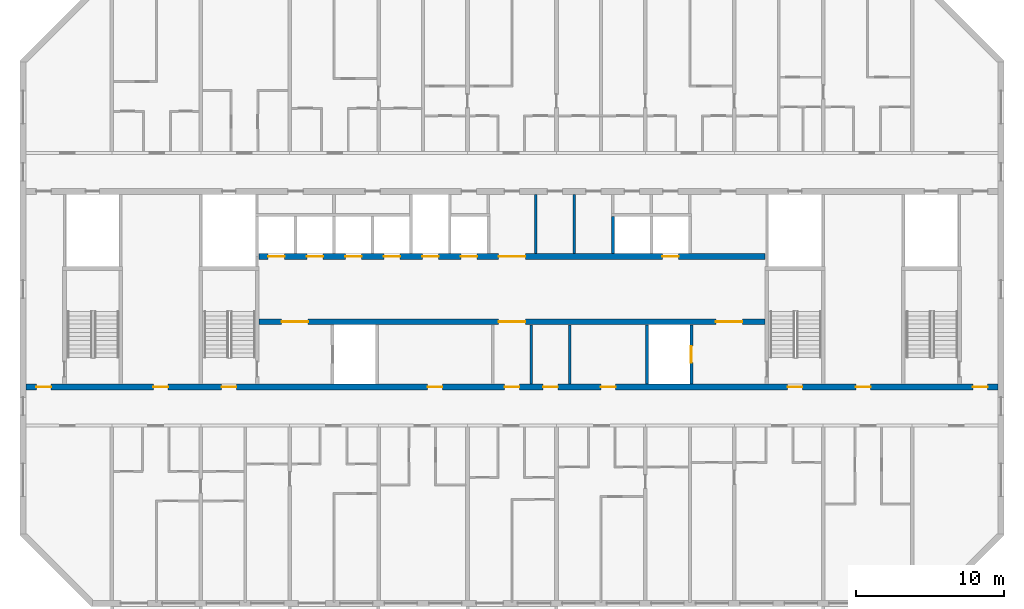
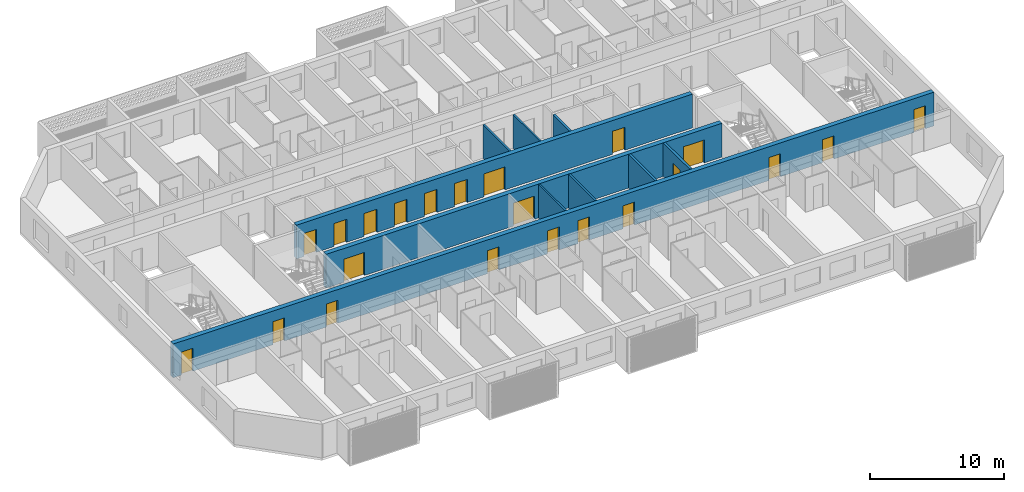
# One storey, part 6 of 27: 22 doors, 10 walls, 22 openings.
"""IFC4 building model written with IfcOpenShell, lengths in metres."""

from ifc_helpers import new_model, si_unit, direction, frame, frame_2d, origin, place, context, subcontext, project, spatial, rectangle, extrude, material, layer, layer_set, type_object, element, fill, save


model = new_model("IFC4")

# Units and contexts
model_context = context("Model", 3, precision=1e-05, world=origin(), true_north=direction((0.0, 1.0)))
body_context = subcontext(model_context, "Body", "Model", "MODEL_VIEW")
ifc_project = project(units=[si_unit("LENGTHUNIT", "METRE"), si_unit("AREAUNIT", "SQUARE_METRE"), si_unit("VOLUMEUNIT", "CUBIC_METRE"), si_unit("PLANEANGLEUNIT", "RADIAN"), si_unit("MASSUNIT", "GRAM", prefix="KILO")], contexts=[model_context])

# Site, building, storey
site_placement = place(None, origin())
site = spatial("IfcSite", under=ifc_project, at=site_placement, CompositionType="ELEMENT")
building_placement = place(site_placement, origin())
building = spatial("IfcBuilding", under=site, at=building_placement, Name="Poui Terraces", CompositionType="ELEMENT")
storey_placement = place(building_placement, frame((0.0, 0.0, 204.89990234375)))
storey = spatial("IfcBuildingStorey", under=building, at=storey_placement, Name="L57", CompositionType="ELEMENT", Elevation=204.89990234375)

# Wall, openings, doors
ifc_material_1 = material(Name="Concrete 50 MPa", Category="concrete")
ifc_layer_1 = layer(ifc_material_1, 0.39990234375)
ifc_layer_set_1 = layer_set([ifc_layer_1], Name="Concrete 50 MPa")
wall_type_1 = type_object("IfcWallType", Name="CORE WALL 400 50 MPA", PredefinedType="SOLIDWALL", material=ifc_layer_set_1)
wall_1_placement = place(storey_placement, frame((33.925048828125, 19.0, 0.0), z_axis=(0.0, 0.0, 1.0), x_axis=(1.0, 0.0, 0.0)))
wall_1 = element("IfcWall", 1, at=wall_1_placement, inside=storey, type_object=wall_type_1, Name="CORE WALL", PredefinedType="SOLIDWALL", context=body_context, shape_type="SweptSolid", body=[
    extrude(rectangle(XDim=34.14990234375, YDim=0.39990234375, at=frame_2d((17.074951171875, 0.0))), origin(), (0.0, 0.0, 1.0), 3.080078125),
])
opening_1_placement = place(wall_1_placement, frame((16.175048828125, 0.0, 0.0)))
opening_1 = element("IfcOpeningElement", 2, at=opening_1_placement, cuts=wall_1, Name="Opening FDD60", PredefinedType="OPENING", context=body_context, shape_type="SweptSolid", body=[
    extrude(rectangle(XDim=1.800048828125, YDim=2.10009765625, at=frame_2d((0.89990234375, 1.050048828125))), frame((0.0, 0.2099609375, 0.0), z_axis=(0.0, -1.0, 0.0), x_axis=(1.0, 0.0, 0.0)), (0.0, 0.0, 1.0), 0.419921875),
])
opening_2_placement = place(wall_1_placement, frame((1.52490234375, 0.0, 0.0)))
opening_2 = element("IfcOpeningElement", 3, at=opening_2_placement, cuts=wall_1, Name="Opening FDD60", PredefinedType="OPENING", context=body_context, shape_type="SweptSolid", body=[
    extrude(rectangle(XDim=1.800048828125, YDim=2.10009765625, at=frame_2d((0.89990234375, 1.050048828125))), frame((0.0, 0.2099609375, 0.0), z_axis=(0.0, -1.0, 0.0), x_axis=(1.0, 0.0, 0.0)), (0.0, 0.0, 1.0), 0.419921875),
])
opening_3_placement = place(wall_1_placement, frame((30.824951171875, 0.0, 0.0)))
opening_3 = element("IfcOpeningElement", 4, at=opening_3_placement, cuts=wall_1, Name="Opening FDD60", PredefinedType="OPENING", context=body_context, shape_type="SweptSolid", body=[
    extrude(rectangle(XDim=1.800048828125, YDim=2.10009765625, at=frame_2d((0.89990234375, 1.050048828125))), frame((0.0, 0.2099609375, 0.0), z_axis=(0.0, -1.0, 0.0), x_axis=(1.0, 0.0, 0.0)), (0.0, 0.0, 1.0), 0.419921875),
])
ifc_material_2 = material(Name="Steel fire door", Category="steel")
door_type_1 = type_object("IfcDoorType", Name="DOUBLE LOBBY FIRE DOOR 1800 X 2100", OperationType="DOUBLE_DOOR_SINGLE_SWING", PredefinedType="DOOR", material=ifc_material_2)
door_1_placement = place(opening_1_placement, frame((1.800048828125, 0.0, 0.0), z_axis=(0.0, 0.0, 1.0), x_axis=(-1.0, 0.0, 0.0)))
door_1 = element("IfcDoor", 5, at=door_1_placement, inside=storey, type_object=door_type_1, Name="DOUBLE LOBBY FIRE DOOR 107", OperationType="DOUBLE_DOOR_SINGLE_SWING", OverallHeight=2.10009765625, OverallWidth=1.800048828125, PredefinedType="DOOR", context=body_context, shape_type="SweptSolid", body=[
    extrude(rectangle(XDim=1.800048828125, YDim=2.10009765625, at=frame_2d((0.89990234375, 1.050048828125))), frame((0.0, 0.02490234375, 0.0), z_axis=(0.0, -1.0, 0.0), x_axis=(1.0, 0.0, 0.0)), (0.0, 0.0, 1.0), 0.050048828125),
])
fill(opening_1, door_1)
door_2_placement = place(opening_2_placement, origin())
door_2 = element("IfcDoor", 6, at=door_2_placement, inside=storey, type_object=door_type_1, Name="DOUBLE LOBBY FIRE DOOR 109", OperationType="DOUBLE_DOOR_SINGLE_SWING", OverallHeight=2.10009765625, OverallWidth=1.800048828125, PredefinedType="DOOR", context=body_context, shape_type="SweptSolid", body=[
    extrude(rectangle(XDim=1.800048828125, YDim=2.10009765625, at=frame_2d((0.89990234375, 1.050048828125))), frame((0.0, 0.02490234375, 0.0), z_axis=(0.0, -1.0, 0.0), x_axis=(1.0, 0.0, 0.0)), (0.0, 0.0, 1.0), 0.050048828125),
])
fill(opening_2, door_2)
door_3_placement = place(opening_3_placement, origin())
door_3 = element("IfcDoor", 7, at=door_3_placement, inside=storey, type_object=door_type_1, Name="DOUBLE LOBBY FIRE DOOR 116", OperationType="DOUBLE_DOOR_SINGLE_SWING", OverallHeight=2.10009765625, OverallWidth=1.800048828125, PredefinedType="DOOR", context=body_context, shape_type="SweptSolid", body=[
    extrude(rectangle(XDim=1.800048828125, YDim=2.10009765625, at=frame_2d((0.89990234375, 1.050048828125))), frame((0.0, 0.02490234375, 0.0), z_axis=(0.0, -1.0, 0.0), x_axis=(1.0, 0.0, 0.0)), (0.0, 0.0, 1.0), 0.050048828125),
])
fill(opening_3, door_3)

wall_2_placement = place(storey_placement, frame((33.925048828125, 23.39990234375, 0.0), z_axis=(0.0, 0.0, 1.0), x_axis=(1.0, 0.0, 0.0)))
wall_2 = element("IfcWall", 8, at=wall_2_placement, inside=storey, type_object=wall_type_1, Name="CORE WALL", PredefinedType="SOLIDWALL", context=body_context, shape_type="SweptSolid", body=[
    extrude(rectangle(XDim=34.14990234375, YDim=0.39990234375, at=frame_2d((17.074951171875, 0.0))), origin(), (0.0, 0.0, 1.0), 3.080078125),
])
opening_4_placement = place(wall_2_placement, frame((16.175048828125, 0.0, 0.0)))
opening_4 = element("IfcOpeningElement", 9, at=opening_4_placement, cuts=wall_2, Name="Opening FDD60", PredefinedType="OPENING", context=body_context, shape_type="SweptSolid", body=[
    extrude(rectangle(XDim=1.800048828125, YDim=2.10009765625, at=frame_2d((0.89990234375, 1.050048828125))), frame((0.0, 0.2099609375, 0.0), z_axis=(0.0, -1.0, 0.0), x_axis=(1.0, 0.0, 0.0)), (0.0, 0.0, 1.0), 0.419921875),
])
opening_5_placement = place(wall_2_placement, frame((0.625, 0.0, 0.0)))
opening_5 = element("IfcOpeningElement", 10, at=opening_5_placement, cuts=wall_2, Name="Opening LD", PredefinedType="OPENING", context=body_context, shape_type="SweptSolid", body=[
    extrude(rectangle(XDim=1.10009765625, YDim=2.10009765625, at=frame_2d((0.550048828125, 1.050048828125))), frame((0.0, 0.2099609375, 0.0), z_axis=(0.0, -1.0, 0.0), x_axis=(1.0, 0.0, 0.0)), (0.0, 0.0, 1.0), 0.419921875),
])
opening_6_placement = place(wall_2_placement, frame((3.22509765625, 0.0, 0.0)))
opening_6 = element("IfcOpeningElement", 11, at=opening_6_placement, cuts=wall_2, Name="Opening LD", PredefinedType="OPENING", context=body_context, shape_type="SweptSolid", body=[
    extrude(rectangle(XDim=1.10009765625, YDim=2.10009765625, at=frame_2d((0.550048828125, 1.050048828125))), frame((0.0, 0.2099609375, 0.0), z_axis=(0.0, -1.0, 0.0), x_axis=(1.0, 0.0, 0.0)), (0.0, 0.0, 1.0), 0.419921875),
])
opening_7_placement = place(wall_2_placement, frame((5.824951171875, 0.0, 0.0)))
opening_7 = element("IfcOpeningElement", 12, at=opening_7_placement, cuts=wall_2, Name="Opening LD", PredefinedType="OPENING", context=body_context, shape_type="SweptSolid", body=[
    extrude(rectangle(XDim=1.10009765625, YDim=2.10009765625, at=frame_2d((0.550048828125, 1.050048828125))), frame((0.0, 0.2099609375, 0.0), z_axis=(0.0, -1.0, 0.0), x_axis=(1.0, 0.0, 0.0)), (0.0, 0.0, 1.0), 0.419921875),
])
opening_8_placement = place(wall_2_placement, frame((8.425048828125, 0.0, 0.0)))
opening_8 = element("IfcOpeningElement", 13, at=opening_8_placement, cuts=wall_2, Name="Opening LD", PredefinedType="OPENING", context=body_context, shape_type="SweptSolid", body=[
    extrude(rectangle(XDim=1.10009765625, YDim=2.10009765625, at=frame_2d((0.550048828125, 1.050048828125))), frame((0.0, 0.2099609375, 0.0), z_axis=(0.0, -1.0, 0.0), x_axis=(1.0, 0.0, 0.0)), (0.0, 0.0, 1.0), 0.419921875),
])
opening_9_placement = place(wall_2_placement, frame((11.02490234375, 0.0, 0.0)))
opening_9 = element("IfcOpeningElement", 14, at=opening_9_placement, cuts=wall_2, Name="Opening LD", PredefinedType="OPENING", context=body_context, shape_type="SweptSolid", body=[
    extrude(rectangle(XDim=1.10009765625, YDim=2.10009765625, at=frame_2d((0.550048828125, 1.050048828125))), frame((0.0, 0.2099609375, 0.0), z_axis=(0.0, -1.0, 0.0), x_axis=(1.0, 0.0, 0.0)), (0.0, 0.0, 1.0), 0.419921875),
])
opening_10_placement = place(wall_2_placement, frame((13.625, 0.0, 0.0)))
opening_10 = element("IfcOpeningElement", 15, at=opening_10_placement, cuts=wall_2, Name="Opening LD", PredefinedType="OPENING", context=body_context, shape_type="SweptSolid", body=[
    extrude(rectangle(XDim=1.10009765625, YDim=2.10009765625, at=frame_2d((0.550048828125, 1.050048828125))), frame((0.0, 0.2099609375, 0.0), z_axis=(0.0, -1.0, 0.0), x_axis=(1.0, 0.0, 0.0)), (0.0, 0.0, 1.0), 0.419921875),
])
opening_11_placement = place(wall_2_placement, frame((27.22509765625, 0.0, 0.0)))
opening_11 = element("IfcOpeningElement", 16, at=opening_11_placement, cuts=wall_2, Name="Opening LD", PredefinedType="OPENING", context=body_context, shape_type="SweptSolid", body=[
    extrude(rectangle(XDim=1.10009765625, YDim=2.10009765625, at=frame_2d((0.550048828125, 1.050048828125))), frame((0.0, 0.2099609375, 0.0), z_axis=(0.0, -1.0, 0.0), x_axis=(1.0, 0.0, 0.0)), (0.0, 0.0, 1.0), 0.419921875),
])
door_4_placement = place(opening_4_placement, origin())
door_4 = element("IfcDoor", 17, at=door_4_placement, inside=storey, type_object=door_type_1, Name="DOUBLE LOBBY FIRE DOOR 106", OperationType="DOUBLE_DOOR_SINGLE_SWING", OverallHeight=2.10009765625, OverallWidth=1.800048828125, PredefinedType="DOOR", context=body_context, shape_type="SweptSolid", body=[
    extrude(rectangle(XDim=1.800048828125, YDim=2.10009765625, at=frame_2d((0.89990234375, 1.050048828125))), frame((0.0, 0.02490234375, 0.0), z_axis=(0.0, -1.0, 0.0), x_axis=(1.0, 0.0, 0.0)), (0.0, 0.0, 1.0), 0.050048828125),
])
fill(opening_4, door_4)
ifc_material_3 = material(Name="Stainless steel sliding door", Category="steel")
door_type_2 = type_object("IfcDoorType", Name="LIFT LANDING DOOR 1100 X 2100", OperationType="DOUBLE_DOOR_SLIDING", PredefinedType="DOOR", material=ifc_material_3)
door_5_placement = place(opening_5_placement, origin())
door_5 = element("IfcDoor", 18, at=door_5_placement, inside=storey, type_object=door_type_2, Name="LANDING DOOR", OperationType="DOUBLE_DOOR_SLIDING", OverallHeight=2.10009765625, OverallWidth=1.10009765625, PredefinedType="DOOR", context=body_context, shape_type="SweptSolid", body=[
    extrude(rectangle(XDim=1.10009765625, YDim=2.10009765625, at=frame_2d((0.550048828125, 1.050048828125))), frame((0.0, 0.02490234375, 0.0), z_axis=(0.0, -1.0, 0.0), x_axis=(1.0, 0.0, 0.0)), (0.0, 0.0, 1.0), 0.050048828125),
])
fill(opening_5, door_5)
door_6_placement = place(opening_6_placement, origin())
door_6 = element("IfcDoor", 19, at=door_6_placement, inside=storey, type_object=door_type_2, Name="LANDING DOOR", OperationType="DOUBLE_DOOR_SLIDING", OverallHeight=2.10009765625, OverallWidth=1.10009765625, PredefinedType="DOOR", context=body_context, shape_type="SweptSolid", body=[
    extrude(rectangle(XDim=1.10009765625, YDim=2.10009765625, at=frame_2d((0.550048828125, 1.050048828125))), frame((0.0, 0.02490234375, 0.0), z_axis=(0.0, -1.0, 0.0), x_axis=(1.0, 0.0, 0.0)), (0.0, 0.0, 1.0), 0.050048828125),
])
fill(opening_6, door_6)
door_7_placement = place(opening_7_placement, origin())
door_7 = element("IfcDoor", 20, at=door_7_placement, inside=storey, type_object=door_type_2, Name="LANDING DOOR", OperationType="DOUBLE_DOOR_SLIDING", OverallHeight=2.10009765625, OverallWidth=1.10009765625, PredefinedType="DOOR", context=body_context, shape_type="SweptSolid", body=[
    extrude(rectangle(XDim=1.10009765625, YDim=2.10009765625, at=frame_2d((0.550048828125, 1.050048828125))), frame((0.0, 0.02490234375, 0.0), z_axis=(0.0, -1.0, 0.0), x_axis=(1.0, 0.0, 0.0)), (0.0, 0.0, 1.0), 0.050048828125),
])
fill(opening_7, door_7)
door_8_placement = place(opening_8_placement, origin())
door_8 = element("IfcDoor", 21, at=door_8_placement, inside=storey, type_object=door_type_2, Name="LANDING DOOR", OperationType="DOUBLE_DOOR_SLIDING", OverallHeight=2.10009765625, OverallWidth=1.10009765625, PredefinedType="DOOR", context=body_context, shape_type="SweptSolid", body=[
    extrude(rectangle(XDim=1.10009765625, YDim=2.10009765625, at=frame_2d((0.550048828125, 1.050048828125))), frame((0.0, 0.02490234375, 0.0), z_axis=(0.0, -1.0, 0.0), x_axis=(1.0, 0.0, 0.0)), (0.0, 0.0, 1.0), 0.050048828125),
])
fill(opening_8, door_8)
door_9_placement = place(opening_9_placement, origin())
door_9 = element("IfcDoor", 22, at=door_9_placement, inside=storey, type_object=door_type_2, Name="LANDING DOOR", OperationType="DOUBLE_DOOR_SLIDING", OverallHeight=2.10009765625, OverallWidth=1.10009765625, PredefinedType="DOOR", context=body_context, shape_type="SweptSolid", body=[
    extrude(rectangle(XDim=1.10009765625, YDim=2.10009765625, at=frame_2d((0.550048828125, 1.050048828125))), frame((0.0, 0.02490234375, 0.0), z_axis=(0.0, -1.0, 0.0), x_axis=(1.0, 0.0, 0.0)), (0.0, 0.0, 1.0), 0.050048828125),
])
fill(opening_9, door_9)
door_10_placement = place(opening_10_placement, origin())
door_10 = element("IfcDoor", 23, at=door_10_placement, inside=storey, type_object=door_type_2, Name="LANDING DOOR", OperationType="DOUBLE_DOOR_SLIDING", OverallHeight=2.10009765625, OverallWidth=1.10009765625, PredefinedType="DOOR", context=body_context, shape_type="SweptSolid", body=[
    extrude(rectangle(XDim=1.10009765625, YDim=2.10009765625, at=frame_2d((0.550048828125, 1.050048828125))), frame((0.0, 0.02490234375, 0.0), z_axis=(0.0, -1.0, 0.0), x_axis=(1.0, 0.0, 0.0)), (0.0, 0.0, 1.0), 0.050048828125),
])
fill(opening_10, door_10)
door_11_placement = place(opening_11_placement, origin())
door_11 = element("IfcDoor", 24, at=door_11_placement, inside=storey, type_object=door_type_2, Name="LANDING DOOR", OperationType="DOUBLE_DOOR_SLIDING", OverallHeight=2.10009765625, OverallWidth=1.10009765625, PredefinedType="DOOR", context=body_context, shape_type="SweptSolid", body=[
    extrude(rectangle(XDim=1.10009765625, YDim=2.10009765625, at=frame_2d((0.550048828125, 1.050048828125))), frame((0.0, 0.02490234375, 0.0), z_axis=(0.0, -1.0, 0.0), x_axis=(1.0, 0.0, 0.0)), (0.0, 0.0, 1.0), 0.050048828125),
])
fill(opening_11, door_11)

# Walls
ifc_material_4 = material(Name="Fire-rated plasterboard wall")
ifc_layer_2 = layer(ifc_material_4, 0.14990234375)
ifc_layer_set_2 = layer_set([ifc_layer_2], Name="Fire-rated plasterboard wall")
wall_type_2 = type_object("IfcWallType", Name="CORRIDOR WALL 150", PredefinedType="PARTITIONING", material=ifc_layer_set_2)
for number, where, z_axis, x_axis, name in (
    (25, (52.300048828125, 14.81005859375, 0.0), (0.0, 0.0, 1.0), (0.0, 1.0, 0.0), "CORRIDOR WALL 150"),
    (26, (52.60009765625, 23.610107421875, 0.0), (0.0, 0.0, 1.0), (0.0, 1.0, 0.0), "CORRIDOR WALL 150"),
):
    element("IfcWall", number, at=place(storey_placement, frame(where, z_axis=z_axis, x_axis=x_axis)), inside=storey, type_object=wall_type_2, Name=name, PredefinedType="PARTITIONING", context=body_context, shape_type="SweptSolid", body=[
        extrude(rectangle(XDim=3.97998046875, YDim=0.14990234375, at=frame_2d((1.989990234375, 0.0))), origin(), (0.0, 0.0, 1.0), 3.080078125),
    ])
ifc_material_5 = material(Name="Plasterboard partition")
ifc_layer_3 = layer(ifc_material_5, 0.14990234375)
ifc_layer_set_3 = layer_set([ifc_layer_3], Name="Plasterboard partition")
wall_type_3 = type_object("IfcWallType", Name="PARTITION WALL 150", PredefinedType="PARTITIONING", material=ifc_layer_set_3)
for number, where, z_axis, x_axis, name in (
    (27, (54.89990234375, 14.81005859375, 0.0), (0.0, 0.0, 1.0), (0.0, 1.0, 0.0), "PARTITION WALL 150"),
    (28, (55.199951171875, 23.610107421875, 0.0), (0.0, 0.0, 1.0), (0.0, 1.0, 0.0), "PARTITION WALL 150"),
):
    element("IfcWall", number, at=place(storey_placement, frame(where, z_axis=z_axis, x_axis=x_axis)), inside=storey, type_object=wall_type_3, Name=name, PredefinedType="PARTITIONING", context=body_context, shape_type="SweptSolid", body=[
        extrude(rectangle(XDim=3.97998046875, YDim=0.14990234375, at=frame_2d((1.989990234375, 0.0))), origin(), (0.0, 0.0, 1.0), 3.080078125),
    ])
ifc_material_6 = material(Name="Fire-rated masonry shaft wall", Category="masonry")
ifc_layer_4 = layer(ifc_material_6, 0.199951171875)
ifc_layer_set_4 = layer_set([ifc_layer_4], Name="Fire-rated masonry shaft wall")
wall_type_4 = type_object("IfcWallType", Name="SHAFT WALL 200", PredefinedType="PARTITIONING", material=ifc_layer_set_4)
wall_3_placement = place(storey_placement, frame((57.800048828125, 23.610107421875, 0.0), z_axis=(0.0, 0.0, 1.0), x_axis=(0.0, 1.0, 0.0)))
element("IfcWall", 29, at=wall_3_placement, inside=storey, type_object=wall_type_4, Name="SHAFT WALL 200", PredefinedType="PARTITIONING", context=body_context, shape_type="SweptSolid", body=[
    extrude(rectangle(XDim=2.489990234375, YDim=0.199951171875, at=frame_2d((1.2451171875, 0.0))), origin(), (0.0, 0.0, 1.0), 3.080078125),
])
wall_4_placement = place(storey_placement, frame((60.10009765625, 14.81005859375, 0.0), z_axis=(0.0, 0.0, 1.0), x_axis=(0.0, 1.0, 0.0)))
element("IfcWall", 30, at=wall_4_placement, inside=storey, type_object=wall_type_4, Name="SHAFT WALL 200", PredefinedType="PARTITIONING", context=body_context, shape_type="SweptSolid", body=[
    extrude(rectangle(XDim=3.97998046875, YDim=0.199951171875, at=frame_2d((1.989990234375, 0.0))), origin(), (0.0, 0.0, 1.0), 3.080078125),
])

# Wall, opening, door
wall_5_placement = place(storey_placement, frame((63.10009765625, 14.81005859375, 0.0), z_axis=(0.0, 0.0, 1.0), x_axis=(0.0, 1.0, 0.0)))
wall_5 = element("IfcWall", 31, at=wall_5_placement, inside=storey, type_object=wall_type_4, Name="SHAFT WALL 200", PredefinedType="PARTITIONING", context=body_context, shape_type="SweptSolid", body=[
    extrude(rectangle(XDim=3.97998046875, YDim=0.199951171875, at=frame_2d((1.989990234375, 0.0))), origin(), (0.0, 0.0, 1.0), 3.080078125),
])
opening_12_placement = place(wall_5_placement, frame((1.43994140625, 0.0, 0.0)))
opening_12 = element("IfcOpeningElement", 32, at=opening_12_placement, cuts=wall_5, Name="Opening LD", PredefinedType="OPENING", context=body_context, shape_type="SweptSolid", body=[
    extrude(rectangle(XDim=1.10009765625, YDim=2.10009765625, at=frame_2d((0.550048828125, 1.050048828125))), frame((0.0, 0.10986328125, 0.0), z_axis=(0.0, -1.0, 0.0), x_axis=(1.0, 0.0, 0.0)), (0.0, 0.0, 1.0), 0.219970703125),
])
door_12_placement = place(opening_12_placement, origin())
door_12 = element("IfcDoor", 33, at=door_12_placement, inside=storey, type_object=door_type_2, Name="LANDING DOOR", OperationType="DOUBLE_DOOR_SLIDING", OverallHeight=2.10009765625, OverallWidth=1.10009765625, PredefinedType="DOOR", context=body_context, shape_type="SweptSolid", body=[
    extrude(rectangle(XDim=1.10009765625, YDim=2.10009765625, at=frame_2d((0.550048828125, 1.050048828125))), frame((0.0, 0.02490234375, 0.0), z_axis=(0.0, -1.0, 0.0), x_axis=(1.0, 0.0, 0.0)), (0.0, 0.0, 1.0), 0.050048828125),
])
fill(opening_12, door_12)

# Wall, openings, doors
ifc_layer_5 = layer(ifc_material_1, 0.39990234375)
ifc_layer_set_5 = layer_set([ifc_layer_5], Name="Concrete 50 MPa")
wall_type_5 = type_object("IfcWallType", Name="SPINE WALL 400 50 MPA", PredefinedType="SOLIDWALL", material=ifc_layer_set_5)
wall_6_placement = place(storey_placement, frame((18.199951171875, 14.60009765625, 0.0), z_axis=(0.0, 0.0, 1.0), x_axis=(1.0, 0.0, 0.0)))
wall_6 = element("IfcWall", 34, at=wall_6_placement, inside=storey, type_object=wall_type_5, Name="SPINE WALL", PredefinedType="SOLIDWALL", context=body_context, shape_type="SweptSolid", body=[
    extrude(rectangle(XDim=65.60009765625, YDim=0.39990234375, at=frame_2d((32.800048828125, 0.0))), origin(), (0.0, 0.0, 1.0), 3.080078125),
])
opening_13_placement = place(wall_6_placement, frame((0.699951171875, 0.0, 0.0)))
opening_13 = element("IfcOpeningElement", 35, at=opening_13_placement, cuts=wall_6, Name="Opening FDL", PredefinedType="OPENING", context=body_context, shape_type="SweptSolid", body=[
    extrude(rectangle(XDim=1.0, YDim=2.10009765625, at=frame_2d((0.5, 1.050048828125))), frame((0.0, 0.2099609375, 0.0), z_axis=(0.0, -1.0, 0.0), x_axis=(1.0, 0.0, 0.0)), (0.0, 0.0, 1.0), 0.419921875),
])
opening_14_placement = place(wall_6_placement, frame((8.60009765625, 0.0, 0.0)))
opening_14 = element("IfcOpeningElement", 36, at=opening_14_placement, cuts=wall_6, Name="Opening D100", PredefinedType="OPENING", context=body_context, shape_type="SweptSolid", body=[
    extrude(rectangle(XDim=1.0, YDim=2.10009765625, at=frame_2d((0.5, 1.050048828125))), frame((0.0, 0.2099609375, 0.0), z_axis=(0.0, -1.0, 0.0), x_axis=(1.0, 0.0, 0.0)), (0.0, 0.0, 1.0), 0.419921875),
])
opening_15_placement = place(wall_6_placement, frame((13.199951171875, 0.0, 0.0)))
opening_15 = element("IfcOpeningElement", 37, at=opening_15_placement, cuts=wall_6, Name="Opening FD60S", PredefinedType="OPENING", context=body_context, shape_type="SweptSolid", body=[
    extrude(rectangle(XDim=1.0, YDim=2.10009765625, at=frame_2d((0.5, 1.050048828125))), frame((0.0, 0.2099609375, 0.0), z_axis=(0.0, -1.0, 0.0), x_axis=(1.0, 0.0, 0.0)), (0.0, 0.0, 1.0), 0.419921875),
])
opening_16_placement = place(wall_6_placement, frame((27.10009765625, 0.0, 0.0)))
opening_16 = element("IfcOpeningElement", 38, at=opening_16_placement, cuts=wall_6, Name="Opening FD60", PredefinedType="OPENING", context=body_context, shape_type="SweptSolid", body=[
    extrude(rectangle(XDim=1.0, YDim=2.10009765625, at=frame_2d((0.5, 1.050048828125))), frame((0.0, 0.2099609375, 0.0), z_axis=(0.0, -1.0, 0.0), x_axis=(1.0, 0.0, 0.0)), (0.0, 0.0, 1.0), 0.419921875),
])
opening_17_placement = place(wall_6_placement, frame((32.300048828125, 0.0, 0.0)))
opening_17 = element("IfcOpeningElement", 39, at=opening_17_placement, cuts=wall_6, Name="Opening FDL", PredefinedType="OPENING", context=body_context, shape_type="SweptSolid", body=[
    extrude(rectangle(XDim=1.0, YDim=2.10009765625, at=frame_2d((0.5, 1.050048828125))), frame((0.0, 0.2099609375, 0.0), z_axis=(0.0, -1.0, 0.0), x_axis=(1.0, 0.0, 0.0)), (0.0, 0.0, 1.0), 0.419921875),
])
opening_18_placement = place(wall_6_placement, frame((34.89990234375, 0.0, 0.0)))
opening_18 = element("IfcOpeningElement", 40, at=opening_18_placement, cuts=wall_6, Name="Opening FD60", PredefinedType="OPENING", context=body_context, shape_type="SweptSolid", body=[
    extrude(rectangle(XDim=1.0, YDim=2.10009765625, at=frame_2d((0.5, 1.050048828125))), frame((0.0, 0.2099609375, 0.0), z_axis=(0.0, -1.0, 0.0), x_axis=(1.0, 0.0, 0.0)), (0.0, 0.0, 1.0), 0.419921875),
])
opening_19_placement = place(wall_6_placement, frame((38.800048828125, 0.0, 0.0)))
opening_19 = element("IfcOpeningElement", 41, at=opening_19_placement, cuts=wall_6, Name="Opening FD60", PredefinedType="OPENING", context=body_context, shape_type="SweptSolid", body=[
    extrude(rectangle(XDim=1.0, YDim=2.10009765625, at=frame_2d((0.5, 1.050048828125))), frame((0.0, 0.2099609375, 0.0), z_axis=(0.0, -1.0, 0.0), x_axis=(1.0, 0.0, 0.0)), (0.0, 0.0, 1.0), 0.419921875),
])
opening_20_placement = place(wall_6_placement, frame((51.39990234375, 0.0, 0.0)))
opening_20 = element("IfcOpeningElement", 42, at=opening_20_placement, cuts=wall_6, Name="Opening FD60S", PredefinedType="OPENING", context=body_context, shape_type="SweptSolid", body=[
    extrude(rectangle(XDim=1.0, YDim=2.10009765625, at=frame_2d((0.5, 1.050048828125))), frame((0.0, 0.2099609375, 0.0), z_axis=(0.0, -1.0, 0.0), x_axis=(1.0, 0.0, 0.0)), (0.0, 0.0, 1.0), 0.419921875),
])
opening_21_placement = place(wall_6_placement, frame((56.0, 0.0, 0.0)))
opening_21 = element("IfcOpeningElement", 43, at=opening_21_placement, cuts=wall_6, Name="Opening D100", PredefinedType="OPENING", context=body_context, shape_type="SweptSolid", body=[
    extrude(rectangle(XDim=1.0, YDim=2.10009765625, at=frame_2d((0.5, 1.050048828125))), frame((0.0, 0.2099609375, 0.0), z_axis=(0.0, -1.0, 0.0), x_axis=(1.0, 0.0, 0.0)), (0.0, 0.0, 1.0), 0.419921875),
])
opening_22_placement = place(wall_6_placement, frame((63.89990234375, 0.0, 0.0)))
opening_22 = element("IfcOpeningElement", 44, at=opening_22_placement, cuts=wall_6, Name="Opening FDL", PredefinedType="OPENING", context=body_context, shape_type="SweptSolid", body=[
    extrude(rectangle(XDim=1.0, YDim=2.10009765625, at=frame_2d((0.5, 1.050048828125))), frame((0.0, 0.2099609375, 0.0), z_axis=(0.0, -1.0, 0.0), x_axis=(1.0, 0.0, 0.0)), (0.0, 0.0, 1.0), 0.419921875),
])
ifc_material_7 = material(Name="Solid core timber door", Category="wood")
door_type_3 = type_object("IfcDoorType", Name="ACCESSIBLE INTERNAL DOOR 1000 X 2100", OperationType="NOTDEFINED", PredefinedType="DOOR", material=ifc_material_7)
door_13_placement = place(opening_14_placement, frame((1.0, 0.0, 0.0), z_axis=(0.0, 0.0, 1.0), x_axis=(-1.0, 0.0, 0.0)))
door_13 = element("IfcDoor", 45, at=door_13_placement, inside=storey, type_object=door_type_3, Name="ACCESSIBLE INTERNAL DOOR 017", OperationType="SINGLE_SWING_RIGHT", OverallHeight=2.10009765625, OverallWidth=1.0, PredefinedType="DOOR", context=body_context, shape_type="SweptSolid", body=[
    extrude(rectangle(XDim=1.0, YDim=2.10009765625, at=frame_2d((0.5, 1.050048828125))), frame((0.0, 0.02490234375, 0.0), z_axis=(0.0, -1.0, 0.0), x_axis=(1.0, 0.0, 0.0)), (0.0, 0.0, 1.0), 0.050048828125),
])
fill(opening_14, door_13)
door_14_placement = place(opening_21_placement, frame((1.0, 0.0, 0.0), z_axis=(0.0, 0.0, 1.0), x_axis=(-1.0, 0.0, 0.0)))
door_14 = element("IfcDoor", 46, at=door_14_placement, inside=storey, type_object=door_type_3, Name="ACCESSIBLE INTERNAL DOOR 024", OperationType="SINGLE_SWING_LEFT", OverallHeight=2.10009765625, OverallWidth=1.0, PredefinedType="DOOR", context=body_context, shape_type="SweptSolid", body=[
    extrude(rectangle(XDim=1.0, YDim=2.10009765625, at=frame_2d((0.5, 1.050048828125))), frame((0.0, 0.02490234375, 0.0), z_axis=(0.0, -1.0, 0.0), x_axis=(1.0, 0.0, 0.0)), (0.0, 0.0, 1.0), 0.050048828125),
])
fill(opening_21, door_14)
door_type_4 = type_object("IfcDoorType", Name="LOBBY FIRE DOOR 1000 X 2100", OperationType="NOTDEFINED", PredefinedType="DOOR", material=ifc_material_2)
door_15_placement = place(opening_13_placement, frame((1.0, 0.0, 0.0), z_axis=(0.0, 0.0, 1.0), x_axis=(-1.0, 0.0, 0.0)))
door_15 = element("IfcDoor", 47, at=door_15_placement, inside=storey, type_object=door_type_4, Name="LOBBY FIRE DOOR 016", OperationType="SINGLE_SWING_RIGHT", OverallHeight=2.10009765625, OverallWidth=1.0, PredefinedType="DOOR", context=body_context, shape_type="SweptSolid", body=[
    extrude(rectangle(XDim=1.0, YDim=2.10009765625, at=frame_2d((0.5, 1.050048828125))), frame((0.0, 0.02490234375, 0.0), z_axis=(0.0, -1.0, 0.0), x_axis=(1.0, 0.0, 0.0)), (0.0, 0.0, 1.0), 0.050048828125),
])
fill(opening_13, door_15)
door_16_placement = place(opening_17_placement, frame((1.0, 0.0, 0.0), z_axis=(0.0, 0.0, 1.0), x_axis=(-1.0, 0.0, 0.0)))
door_16 = element("IfcDoor", 48, at=door_16_placement, inside=storey, type_object=door_type_4, Name="LOBBY FIRE DOOR 020", OperationType="SINGLE_SWING_LEFT", OverallHeight=2.10009765625, OverallWidth=1.0, PredefinedType="DOOR", context=body_context, shape_type="SweptSolid", body=[
    extrude(rectangle(XDim=1.0, YDim=2.10009765625, at=frame_2d((0.5, 1.050048828125))), frame((0.0, 0.02490234375, 0.0), z_axis=(0.0, -1.0, 0.0), x_axis=(1.0, 0.0, 0.0)), (0.0, 0.0, 1.0), 0.050048828125),
])
fill(opening_17, door_16)
door_17_placement = place(opening_22_placement, frame((1.0, 0.0, 0.0), z_axis=(0.0, 0.0, 1.0), x_axis=(-1.0, 0.0, 0.0)))
door_17 = element("IfcDoor", 49, at=door_17_placement, inside=storey, type_object=door_type_4, Name="LOBBY FIRE DOOR 025", OperationType="SINGLE_SWING_LEFT", OverallHeight=2.10009765625, OverallWidth=1.0, PredefinedType="DOOR", context=body_context, shape_type="SweptSolid", body=[
    extrude(rectangle(XDim=1.0, YDim=2.10009765625, at=frame_2d((0.5, 1.050048828125))), frame((0.0, 0.02490234375, 0.0), z_axis=(0.0, -1.0, 0.0), x_axis=(1.0, 0.0, 0.0)), (0.0, 0.0, 1.0), 0.050048828125),
])
fill(opening_22, door_17)
door_type_5 = type_object("IfcDoorType", Name="SERVICE ROOM FIRE DOOR 1000 X 2100", OperationType="NOTDEFINED", PredefinedType="DOOR", material=ifc_material_2)
door_18_placement = place(opening_16_placement, frame((1.0, 0.0, 0.0), z_axis=(0.0, 0.0, 1.0), x_axis=(-1.0, 0.0, 0.0)))
door_18 = element("IfcDoor", 50, at=door_18_placement, inside=storey, type_object=door_type_5, Name="SERVICE ROOM FIRE DOOR 019", OperationType="SINGLE_SWING_LEFT", OverallHeight=2.10009765625, OverallWidth=1.0, PredefinedType="DOOR", context=body_context, shape_type="SweptSolid", body=[
    extrude(rectangle(XDim=1.0, YDim=2.10009765625, at=frame_2d((0.5, 1.050048828125))), frame((0.0, 0.02490234375, 0.0), z_axis=(0.0, -1.0, 0.0), x_axis=(1.0, 0.0, 0.0)), (0.0, 0.0, 1.0), 0.050048828125),
])
fill(opening_16, door_18)
door_19_placement = place(opening_18_placement, frame((1.0, 0.0, 0.0), z_axis=(0.0, 0.0, 1.0), x_axis=(-1.0, 0.0, 0.0)))
door_19 = element("IfcDoor", 51, at=door_19_placement, inside=storey, type_object=door_type_5, Name="SERVICE ROOM FIRE DOOR 021", OperationType="SINGLE_SWING_RIGHT", OverallHeight=2.10009765625, OverallWidth=1.0, PredefinedType="DOOR", context=body_context, shape_type="SweptSolid", body=[
    extrude(rectangle(XDim=1.0, YDim=2.10009765625, at=frame_2d((0.5, 1.050048828125))), frame((0.0, 0.02490234375, 0.0), z_axis=(0.0, -1.0, 0.0), x_axis=(1.0, 0.0, 0.0)), (0.0, 0.0, 1.0), 0.050048828125),
])
fill(opening_18, door_19)
door_20_placement = place(opening_19_placement, frame((1.0, 0.0, 0.0), z_axis=(0.0, 0.0, 1.0), x_axis=(-1.0, 0.0, 0.0)))
door_20 = element("IfcDoor", 52, at=door_20_placement, inside=storey, type_object=door_type_5, Name="SERVICE ROOM FIRE DOOR 022", OperationType="SINGLE_SWING_LEFT", OverallHeight=2.10009765625, OverallWidth=1.0, PredefinedType="DOOR", context=body_context, shape_type="SweptSolid", body=[
    extrude(rectangle(XDim=1.0, YDim=2.10009765625, at=frame_2d((0.5, 1.050048828125))), frame((0.0, 0.02490234375, 0.0), z_axis=(0.0, -1.0, 0.0), x_axis=(1.0, 0.0, 0.0)), (0.0, 0.0, 1.0), 0.050048828125),
])
fill(opening_19, door_20)
door_type_6 = type_object("IfcDoorType", Name="STAIR DOOR 1000 X 2100", OperationType="NOTDEFINED", PredefinedType="DOOR", material=ifc_material_2)
door_21_placement = place(opening_15_placement, origin())
door_21 = element("IfcDoor", 53, at=door_21_placement, inside=storey, type_object=door_type_6, Name="STAIR DOOR 018", OperationType="SINGLE_SWING_RIGHT", OverallHeight=2.10009765625, OverallWidth=1.0, PredefinedType="DOOR", context=body_context, shape_type="SweptSolid", body=[
    extrude(rectangle(XDim=1.0, YDim=2.10009765625, at=frame_2d((0.5, 1.050048828125))), frame((0.0, 0.02490234375, 0.0), z_axis=(0.0, -1.0, 0.0), x_axis=(1.0, 0.0, 0.0)), (0.0, 0.0, 1.0), 0.050048828125),
])
fill(opening_15, door_21)
door_22_placement = place(opening_20_placement, origin())
door_22 = element("IfcDoor", 54, at=door_22_placement, inside=storey, type_object=door_type_6, Name="STAIR DOOR 023", OperationType="SINGLE_SWING_RIGHT", OverallHeight=2.10009765625, OverallWidth=1.0, PredefinedType="DOOR", context=body_context, shape_type="SweptSolid", body=[
    extrude(rectangle(XDim=1.0, YDim=2.10009765625, at=frame_2d((0.5, 1.050048828125))), frame((0.0, 0.02490234375, 0.0), z_axis=(0.0, -1.0, 0.0), x_axis=(1.0, 0.0, 0.0)), (0.0, 0.0, 1.0), 0.050048828125),
])
fill(opening_20, door_22)

save(model, "model.ifc")
